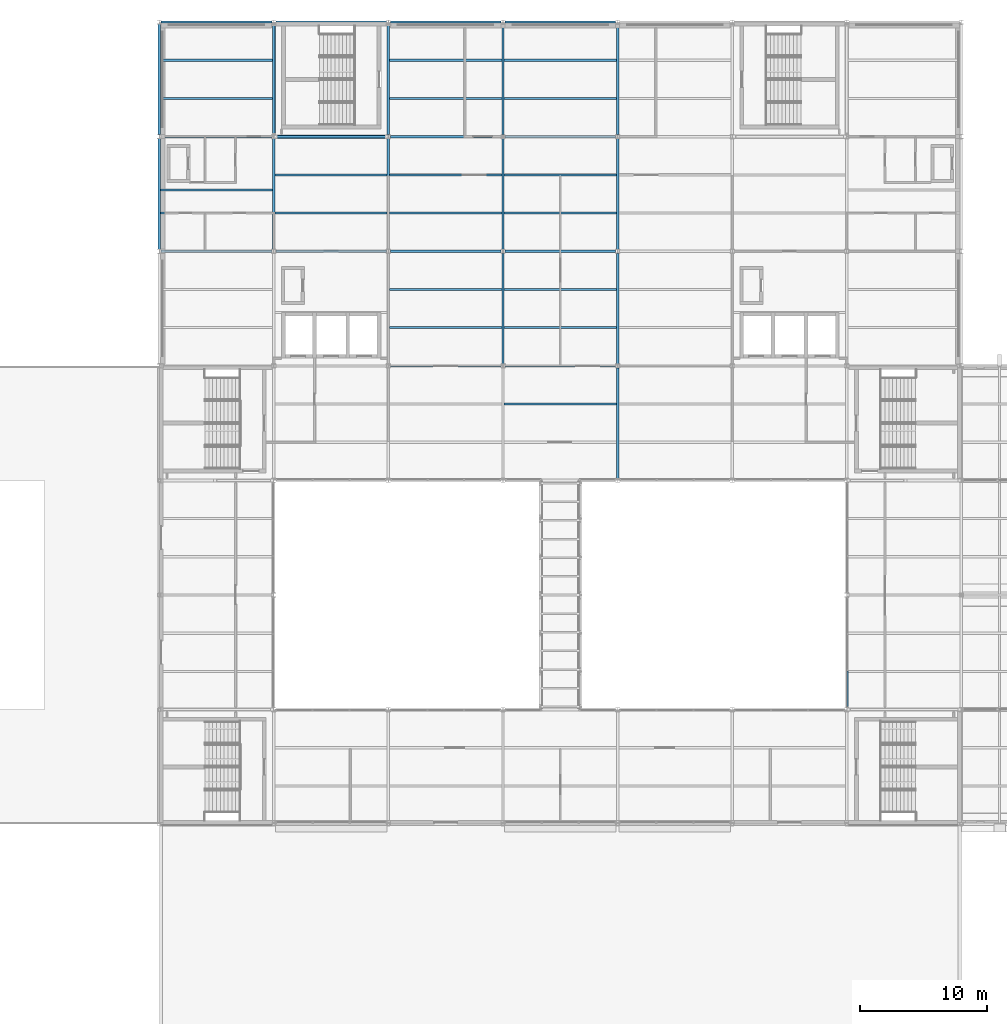
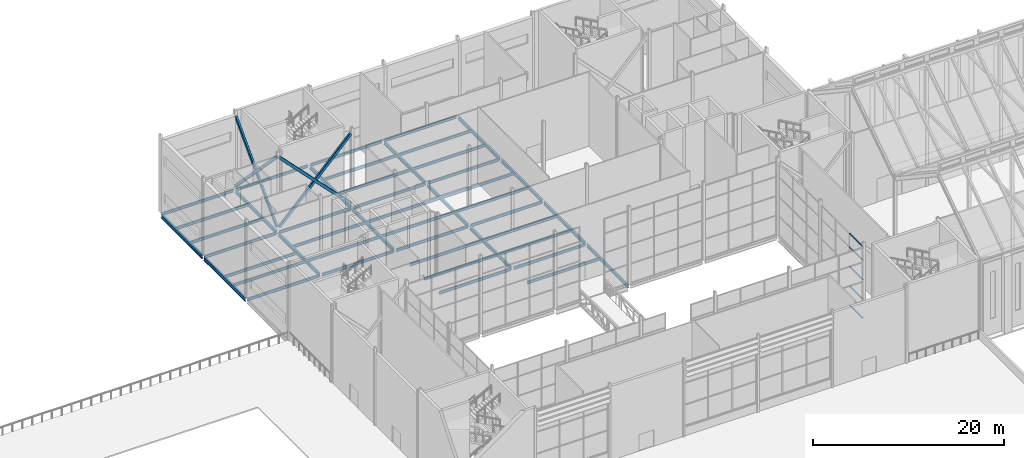
# One storey, part 51 of 111: 46 beams, 9 members, 1 element without a shape of its own.
"""IFC4 building model written with IfcOpenShell, lengths in metres."""

from ifc_helpers import new_model, si_unit, direction, frame, origin, origin_2d, place, context, subcontext, project, spatial, hollow_rectangle, i_section, extrude, material, layer, layer_set, material_profile, profile_set, type_object, element, aggregate, save


model = new_model("IFC4")

# Units and contexts
model_context = context("Model", 3, precision=1e-05, world=origin(), true_north=direction((0.0, 1.0)))
body_context = subcontext(model_context, "Body", "Model", "MODEL_VIEW")
ifc_project = project(units=[si_unit("LENGTHUNIT", "METRE"), si_unit("AREAUNIT", "SQUARE_METRE"), si_unit("VOLUMEUNIT", "CUBIC_METRE"), si_unit("PLANEANGLEUNIT", "RADIAN"), si_unit("MASSUNIT", "GRAM", prefix="KILO")], contexts=[model_context])

# Site, building, storey
site_placement = place(None, origin())
site = spatial("IfcSite", under=ifc_project, at=site_placement, CompositionType="ELEMENT")
building_placement = place(site_placement, origin())
building = spatial("IfcBuilding", under=site, at=building_placement, Name="Shorebreak Coast Museum", CompositionType="ELEMENT")
storey_placement = place(building_placement, frame((0.0, 0.0, 16.0)))
storey = spatial("IfcBuildingStorey", under=building, at=storey_placement, Name="L03", CompositionType="ELEMENT", Elevation=16.0)

# Beams
ifc_material_1 = material(Name="Steel Grade 300", Category="steel")
ifc_material_profile_1 = material_profile(ifc_material_1, i_section(OverallWidth=0.1708984375, OverallDepth=0.355712890625, WebThickness=0.00732421875, FlangeThickness=0.011474609375, FilletRadius=0.011474609375, at=origin_2d()), Name="360UB50.7")
ifc_profile_set_1 = profile_set([ifc_material_profile_1], Name="Steel Grade 300")
beam_type_1 = type_object("IfcBeamType", Name="Floor girder east-west 360UB50.7", PredefinedType="BEAM", material=ifc_profile_set_1)
for number, where, z_axis, x_axis, name in (
    (1, (72.155517578125, 90.0, -0.352783203125), (1.0, 0.0, 0.0), (0.0, 1.0, 0.0), "Floor girder east-west L03 9L"),
    (2, (81.155517578125, 90.0, -0.352783203125), (1.0, 0.0, 0.0), (0.0, 1.0, 0.0), "Floor girder east-west L03 10L"),
):
    element("IfcBeam", number, at=place(storey_placement, frame(where, z_axis=z_axis, x_axis=x_axis)), inside=storey, type_object=beam_type_1, Name=name, PredefinedType="BEAM", context=body_context, shape_type="SweptSolid", body=[
        extrude(i_section(OverallWidth=0.1708984375, OverallDepth=0.355712890625, WebThickness=0.00732421875, FlangeThickness=0.011474609375, FilletRadius=0.011474609375, at=origin_2d()), origin(), (0.0, 0.0, 1.0), 8.68896484375),
    ])
for number, where, z_axis, x_axis, name in (
    (3, (54.153564453125, 99.0, -0.352783203125), (1.0, 0.0, 0.0), (0.0, 1.0, 0.0), "Floor girder east-west L03 7M"),
    (4, (63.153564453125, 99.0, -0.352783203125), (1.0, 0.0, 0.0), (0.0, 1.0, 0.0), "Floor girder east-west L03 8M"),
    (5, (72.153564453125, 99.0, -0.352783203125), (1.0, 0.0, 0.0), (0.0, 1.0, 0.0), "Floor girder east-west L03 9M"),
    (6, (81.153564453125, 99.0, -0.352783203125), (1.0, 0.0, 0.0), (0.0, 1.0, 0.0), "Floor girder east-west L03 10M"),
    (7, (54.153564453125, 108.0, -0.352783203125), (1.0, 0.0, 0.0), (0.0, 1.0, 0.0), "Floor girder east-west L03 7N"),
    (8, (63.153564453125, 108.0, -0.352783203125), (1.0, 0.0, 0.0), (0.0, 1.0, 0.0), "Floor girder east-west L03 8N"),
    (9, (72.153564453125, 108.0, -0.352783203125), (1.0, 0.0, 0.0), (0.0, 1.0, 0.0), "Floor girder east-west L03 9N"),
    (10, (81.153564453125, 108.0, -0.352783203125), (1.0, 0.0, 0.0), (0.0, 1.0, 0.0), "Floor girder east-west L03 10N"),
):
    element("IfcBeam", number, at=place(storey_placement, frame(where, z_axis=z_axis, x_axis=x_axis)), inside=storey, type_object=beam_type_1, Name=name, PredefinedType="BEAM", context=body_context, shape_type="SweptSolid", body=[
        extrude(i_section(OverallWidth=0.1708984375, OverallDepth=0.355712890625, WebThickness=0.00732421875, FlangeThickness=0.011474609375, FilletRadius=0.011474609375, at=origin_2d()), origin(), (0.0, 0.0, 1.0), 8.69287109375),
    ])
for number, where, z_axis, x_axis, name in (
    (11, (54.155517578125, 117.0, -0.352783203125), (1.0, 0.0, 0.0), (0.0, 1.0, 0.0), "Floor girder east-west L03 7P"),
    (12, (63.155517578125, 117.0, -0.352783203125), (1.0, 0.0, 0.0), (0.0, 1.0, 0.0), "Floor girder east-west L03 8P"),
    (13, (72.155517578125, 117.0, -0.352783203125), (1.0, 0.0, 0.0), (0.0, 1.0, 0.0), "Floor girder east-west L03 9P"),
    (14, (81.155517578125, 117.0, -0.352783203125), (1.0, 0.0, 0.0), (0.0, 1.0, 0.0), "Floor girder east-west L03 10P"),
):
    element("IfcBeam", number, at=place(storey_placement, frame(where, z_axis=z_axis, x_axis=x_axis)), inside=storey, type_object=beam_type_1, Name=name, PredefinedType="BEAM", context=body_context, shape_type="SweptSolid", body=[
        extrude(i_section(OverallWidth=0.1708984375, OverallDepth=0.355712890625, WebThickness=0.00732421875, FlangeThickness=0.011474609375, FilletRadius=0.011474609375, at=origin_2d()), origin(), (0.0, 0.0, 1.0), 8.68896484375),
    ])
ifc_material_2 = material(Name="Steel Grade 300", Category="steel")
ifc_material_profile_2 = material_profile(ifc_material_2, i_section(OverallWidth=0.18994140625, OverallDepth=0.453857421875, WebThickness=0.008544921875, FlangeThickness=0.0126953125, FilletRadius=0.011474609375, at=origin_2d()), Name="460UB67.1")
ifc_profile_set_2 = profile_set([ifc_material_profile_2], Name="Steel Grade 300")
beam_type_2 = type_object("IfcBeamType", Name="Floor girder north-south 460UB67.1", PredefinedType="BEAM", material=ifc_profile_set_2)
beam_placement = place(storey_placement, frame((90.0, 81.16357421875, -0.40185546875), z_axis=(0.0, 1.0, 0.0), x_axis=(-1.0, 0.0, 0.0)))
element("IfcBeam", 15, at=beam_placement, inside=storey, type_object=beam_type_2, Name="Floor girder north-south L03 11K", PredefinedType="BEAM", context=body_context, shape_type="SweptSolid", body=[
    extrude(i_section(OverallWidth=0.18994140625, OverallDepth=0.453857421875, WebThickness=0.008544921875, FlangeThickness=0.0126953125, FilletRadius=0.011474609375, at=origin_2d()), origin(), (0.0, 0.0, 1.0), 8.6728515625),
])
for number, where, z_axis, x_axis, name in (
    (16, (81.0, 90.16357421875, -0.40185546875), (0.0, 1.0, 0.0), (-1.0, 0.0, 0.0), "Floor girder north-south L03 10L"),
    (17, (90.0, 90.16357421875, -0.40185546875), (0.0, 1.0, 0.0), (-1.0, 0.0, 0.0), "Floor girder north-south L03 11L"),
):
    element("IfcBeam", number, at=place(storey_placement, frame(where, z_axis=z_axis, x_axis=x_axis)), inside=storey, type_object=beam_type_2, Name=name, PredefinedType="BEAM", context=body_context, shape_type="SweptSolid", body=[
        extrude(i_section(OverallWidth=0.18994140625, OverallDepth=0.453857421875, WebThickness=0.008544921875, FlangeThickness=0.0126953125, FilletRadius=0.011474609375, at=origin_2d()), origin(), (0.0, 0.0, 1.0), 8.67919921875),
    ])
for number, where, z_axis, x_axis, name in (
    (18, (54.0, 99.1572265625, -0.40185546875), (0.0, 1.0, 0.0), (-1.0, 0.0, 0.0), "Floor girder north-south L03 7M"),
    (19, (63.0, 99.1572265625, -0.40185546875), (0.0, 1.0, 0.0), (-1.0, 0.0, 0.0), "Floor girder north-south L03 8M"),
    (20, (72.0, 99.1572265625, -0.40185546875), (0.0, 1.0, 0.0), (-1.0, 0.0, 0.0), "Floor girder north-south L03 9M"),
    (21, (81.0, 99.1572265625, -0.40185546875), (0.0, 1.0, 0.0), (-1.0, 0.0, 0.0), "Floor girder north-south L03 10M"),
    (22, (90.0, 99.1572265625, -0.40185546875), (0.0, 1.0, 0.0), (-1.0, 0.0, 0.0), "Floor girder north-south L03 11M"),
):
    element("IfcBeam", number, at=place(storey_placement, frame(where, z_axis=z_axis, x_axis=x_axis)), inside=storey, type_object=beam_type_2, Name=name, PredefinedType="BEAM", context=body_context, shape_type="SweptSolid", body=[
        extrude(i_section(OverallWidth=0.18994140625, OverallDepth=0.453857421875, WebThickness=0.008544921875, FlangeThickness=0.0126953125, FilletRadius=0.011474609375, at=origin_2d()), origin(), (0.0, 0.0, 1.0), 8.685546875),
    ])
for number, where, z_axis, x_axis, name in (
    (23, (54.0, 108.1572265625, -0.40185546875), (0.0, 1.0, 0.0), (-1.0, 0.0, 0.0), "Floor girder north-south L03 7N"),
    (24, (63.0, 108.1572265625, -0.40185546875), (0.0, 1.0, 0.0), (-1.0, 0.0, 0.0), "Floor girder north-south L03 8N"),
    (25, (72.0, 108.1572265625, -0.40185546875), (0.0, 1.0, 0.0), (-1.0, 0.0, 0.0), "Floor girder north-south L03 9N"),
    (26, (81.0, 108.1572265625, -0.40185546875), (0.0, 1.0, 0.0), (-1.0, 0.0, 0.0), "Floor girder north-south L03 10N"),
    (27, (90.0, 108.1572265625, -0.40185546875), (0.0, 1.0, 0.0), (-1.0, 0.0, 0.0), "Floor girder north-south L03 11N"),
):
    element("IfcBeam", number, at=place(storey_placement, frame(where, z_axis=z_axis, x_axis=x_axis)), inside=storey, type_object=beam_type_2, Name=name, PredefinedType="BEAM", context=body_context, shape_type="SweptSolid", body=[
        extrude(i_section(OverallWidth=0.18994140625, OverallDepth=0.453857421875, WebThickness=0.008544921875, FlangeThickness=0.0126953125, FilletRadius=0.011474609375, at=origin_2d()), origin(), (0.0, 0.0, 1.0), 8.67919921875),
    ])
ifc_material_3 = material(Name="Steel Grade 300", Category="steel")
ifc_material_profile_3 = material_profile(ifc_material_3, i_section(OverallWidth=0.1708984375, OverallDepth=0.355712890625, WebThickness=0.00732421875, FlangeThickness=0.011474609375, FilletRadius=0.011474609375, at=origin_2d()), Name="360UB50.7")
ifc_profile_set_3 = profile_set([ifc_material_profile_3], Name="Steel Grade 300")
beam_type_3 = type_object("IfcBeamType", Name="Floor joist 360UB50.7", PredefinedType="JOIST", material=ifc_profile_set_3)
for number, where, z_axis, x_axis, name in (
    (28, (81.094970703125, 87.0, -0.352783203125), (1.0, 0.0, 0.0), (0.0, 1.0, 0.0), "Floor joist L03 bay 10K at 6000 mm"),
    (29, (72.094970703125, 93.0, -0.352783203125), (1.0, 0.0, 0.0), (0.0, 1.0, 0.0), "Floor joist L03 bay 9L at 3000 mm"),
    (30, (72.094970703125, 96.0, -0.352783203125), (1.0, 0.0, 0.0), (0.0, 1.0, 0.0), "Floor joist L03 bay 9L at 6000 mm"),
    (31, (81.094970703125, 93.0, -0.352783203125), (1.0, 0.0, 0.0), (0.0, 1.0, 0.0), "Floor joist L03 bay 10L at 3000 mm"),
    (32, (81.094970703125, 96.0, -0.352783203125), (1.0, 0.0, 0.0), (0.0, 1.0, 0.0), "Floor joist L03 bay 10L at 6000 mm"),
    (33, (54.094970703125, 102.0, -0.352783203125), (1.0, 0.0, 0.0), (0.0, 1.0, 0.0), "Floor joist L03 bay 7M at 3000 mm"),
    (34, (54.094970703125, 103.800048828125, -0.352783203125), (1.0, 0.0, 0.0), (0.0, 1.0, 0.0), "Floor joist L03 bay 7M at 4800 mm"),
    (35, (63.094970703125, 102.0, -0.352783203125), (1.0, 0.0, 0.0), (0.0, 1.0, 0.0), "Floor joist L03 bay 8M at 3000 mm"),
    (36, (63.094970703125, 105.0, -0.352783203125), (1.0, 0.0, 0.0), (0.0, 1.0, 0.0), "Floor joist L03 bay 8M at 6000 mm"),
    (37, (72.094970703125, 102.0, -0.352783203125), (1.0, 0.0, 0.0), (0.0, 1.0, 0.0), "Floor joist L03 bay 9M at 3000 mm"),
    (38, (72.094970703125, 105.0, -0.352783203125), (1.0, 0.0, 0.0), (0.0, 1.0, 0.0), "Floor joist L03 bay 9M at 6000 mm"),
    (39, (81.094970703125, 102.0, -0.352783203125), (1.0, 0.0, 0.0), (0.0, 1.0, 0.0), "Floor joist L03 bay 10M at 3000 mm"),
    (40, (81.094970703125, 105.0, -0.352783203125), (1.0, 0.0, 0.0), (0.0, 1.0, 0.0), "Floor joist L03 bay 10M at 6000 mm"),
    (41, (54.094970703125, 111.0, -0.352783203125), (1.0, 0.0, 0.0), (0.0, 1.0, 0.0), "Floor joist L03 bay 7N at 3000 mm"),
    (42, (54.094970703125, 114.0, -0.352783203125), (1.0, 0.0, 0.0), (0.0, 1.0, 0.0), "Floor joist L03 bay 7N at 6000 mm"),
    (43, (72.094970703125, 111.0, -0.352783203125), (1.0, 0.0, 0.0), (0.0, 1.0, 0.0), "Floor joist L03 bay 9N at 3000 mm"),
    (44, (72.094970703125, 114.0, -0.352783203125), (1.0, 0.0, 0.0), (0.0, 1.0, 0.0), "Floor joist L03 bay 9N at 6000 mm"),
    (45, (81.094970703125, 111.0, -0.352783203125), (1.0, 0.0, 0.0), (0.0, 1.0, 0.0), "Floor joist L03 bay 10N at 3000 mm"),
    (46, (81.094970703125, 114.0, -0.352783203125), (1.0, 0.0, 0.0), (0.0, 1.0, 0.0), "Floor joist L03 bay 10N at 6000 mm"),
):
    element("IfcBeam", number, at=place(storey_placement, frame(where, z_axis=z_axis, x_axis=x_axis)), inside=storey, type_object=beam_type_3, Name=name, PredefinedType="JOIST", context=body_context, shape_type="SweptSolid", body=[
        extrude(i_section(OverallWidth=0.1708984375, OverallDepth=0.355712890625, WebThickness=0.00732421875, FlangeThickness=0.011474609375, FilletRadius=0.011474609375, at=origin_2d()), origin(), (0.0, 0.0, 1.0), 8.81005859375),
    ])

# Curtain wall, members
ifc_material_4 = material(Name="Aluminium", Category="aluminium")
ifc_layer = layer(ifc_material_4, 0.1201171875)
ifc_layer_set = layer_set([ifc_layer], Name="Aluminium")
curtain_wall_type = type_object("IfcCurtainWallType", Name="Atrium fire screen", PredefinedType="NOTDEFINED", material=ifc_layer_set)
curtain_wall_placement = place(storey_placement, origin())
curtain_wall = element("IfcCurtainWall", 47, at=curtain_wall_placement, inside=storey, type_object=curtain_wall_type, Name="Atrium screen L03 E 47", PredefinedType="NOTDEFINED")
ifc_material_5 = material(Name="Aluminium", Category="aluminium")
ifc_material_profile_4 = material_profile(ifc_material_5, hollow_rectangle(XDim=0.1201171875, YDim=0.06005859375, WallThickness=0.00341796875, at=origin_2d()), Name="AL 60x120 RHS")
ifc_profile_set_4 = profile_set([ifc_material_profile_4], Name="Aluminium")
member_type_1 = type_object("IfcMemberType", Name="Screen transom 120 x 50", PredefinedType="USERDEFINED", material=ifc_profile_set_4)
member_1_placement = place(storey_placement, frame((108.06005859375, 63.228271484375, 0.06005859375), z_axis=(0.0, 1.0, 0.0), x_axis=(-1.0, 0.0, 0.0)))
member_1 = element("IfcMember", 48, at=member_1_placement, type_object=member_type_1, Name="CW6 transom 1.1", ObjectType="TRANSOM", PredefinedType="USERDEFINED", context=body_context, shape_type="SweptSolid", body=[
    extrude(hollow_rectangle(XDim=0.1201171875, YDim=0.06005859375, WallThickness=0.00341796875, at=origin_2d()), origin(), (0.0, 0.0, 1.0), 2.812255859375),
])
member_2_placement = place(storey_placement, frame((108.06005859375, 63.228271484375, 2.5), z_axis=(0.0, 1.0, 0.0), x_axis=(-1.0, 0.0, 0.0)))
member_2 = element("IfcMember", 49, at=member_2_placement, type_object=member_type_1, Name="CW6 transom 1.2", ObjectType="TRANSOM", PredefinedType="USERDEFINED", context=body_context, shape_type="SweptSolid", body=[
    extrude(hollow_rectangle(XDim=0.1201171875, YDim=0.06005859375, WallThickness=0.00341796875, at=origin_2d()), origin(), (0.0, 0.0, 1.0), 2.812255859375),
])
member_3_placement = place(storey_placement, frame((108.06005859375, 63.228271484375, 5.0), z_axis=(0.0, 1.0, 0.0), x_axis=(-1.0, 0.0, 0.0)))
member_3 = element("IfcMember", 50, at=member_3_placement, type_object=member_type_1, Name="CW6 transom 1.3", ObjectType="TRANSOM", PredefinedType="USERDEFINED", context=body_context, shape_type="SweptSolid", body=[
    extrude(hollow_rectangle(XDim=0.1201171875, YDim=0.06005859375, WallThickness=0.00341796875, at=origin_2d()), origin(), (0.0, 0.0, 1.0), 2.812255859375),
])
member_4_placement = place(storey_placement, frame((108.06005859375, 63.228271484375, 7.5), z_axis=(0.0, 1.0, 0.0), x_axis=(-1.0, 0.0, 0.0)))
member_4 = element("IfcMember", 51, at=member_4_placement, type_object=member_type_1, Name="CW6 transom 1.4", ObjectType="TRANSOM", PredefinedType="USERDEFINED", context=body_context, shape_type="SweptSolid", body=[
    extrude(hollow_rectangle(XDim=0.1201171875, YDim=0.06005859375, WallThickness=0.00341796875, at=origin_2d()), origin(), (0.0, 0.0, 1.0), 2.812255859375),
])
member_5_placement = place(storey_placement, frame((108.06005859375, 63.228271484375, 9.23681640625), z_axis=(0.0, 1.0, 0.0), x_axis=(-1.0, 0.0, 0.0)))
member_5 = element("IfcMember", 52, at=member_5_placement, type_object=member_type_1, Name="CW6 transom 1.5", ObjectType="TRANSOM", PredefinedType="USERDEFINED", context=body_context, shape_type="SweptSolid", body=[
    extrude(hollow_rectangle(XDim=0.1201171875, YDim=0.06005859375, WallThickness=0.00341796875, at=origin_2d()), origin(), (0.0, 0.0, 1.0), 2.812255859375),
])
aggregate(curtain_wall, [member_1, member_2, member_3, member_4, member_5])

# Members
ifc_material_6 = material(Name="Steel Grade C450L0", Category="steel")
ifc_material_profile_5 = material_profile(ifc_material_6, hollow_rectangle(XDim=0.25, YDim=0.35009765625, WallThickness=0.012451171875, InnerFilletRadius=0.018798828125, OuterFilletRadius=0.03125, at=origin_2d()), Name="350x250x12.5 RHS")
ifc_profile_set_5 = profile_set([ifc_material_profile_5], Name="Steel Grade C450L0")
member_type_2 = type_object("IfcMemberType", Name="X-brace 350x250x12.5 RHS", PredefinedType="BRACE", material=ifc_profile_set_5)
for number, where, z_axis, x_axis, name in (
    (53, (63.152587890625, 108.0, 0.300048828125), (0.695813168576, 0.0, 0.718222830629), (0.0, 1.0, 0.0), "X-brace bay 09 L03 diagonal 1"),
    (54, (71.847412109375, 108.0, 0.300048828125), (-0.695813168576, 0.0, 0.718222830629), (0.0, -1.0, 0.0), "X-brace bay 09 L03 diagonal 2"),
):
    element("IfcMember", number, at=place(storey_placement, frame(where, z_axis=z_axis, x_axis=x_axis)), inside=storey, type_object=member_type_2, Name=name, PredefinedType="BRACE", context=body_context, shape_type="SweptSolid", body=[
        extrude(hollow_rectangle(XDim=0.25, YDim=0.35009765625, WallThickness=0.012451171875, InnerFilletRadius=0.018798828125, OuterFilletRadius=0.03125, at=origin_2d()), origin(), (0.0, 0.0, 1.0), 12.495849609375),
    ])
for number, where, z_axis, x_axis, name in (
    (55, (63.0, 108.154052734375, 0.300048828125), (0.0, 0.695298636791, 0.718720951188), (-1.0, 0.0, 0.0), "X-brace bay 10 L03 diagonal 1"),
    (56, (63.0, 116.83642578125, 0.300048828125), (0.0, -0.695298636791, 0.718720951188), (1.0, 0.0, 0.0), "X-brace bay 10 L03 diagonal 2"),
):
    element("IfcMember", number, at=place(storey_placement, frame(where, z_axis=z_axis, x_axis=x_axis)), inside=storey, type_object=member_type_2, Name=name, PredefinedType="BRACE", context=body_context, shape_type="SweptSolid", body=[
        extrude(hollow_rectangle(XDim=0.25, YDim=0.35009765625, WallThickness=0.012451171875, InnerFilletRadius=0.018798828125, OuterFilletRadius=0.03125, at=origin_2d()), origin(), (0.0, 0.0, 1.0), 12.4873046875),
    ])

save(model, "model.ifc")
